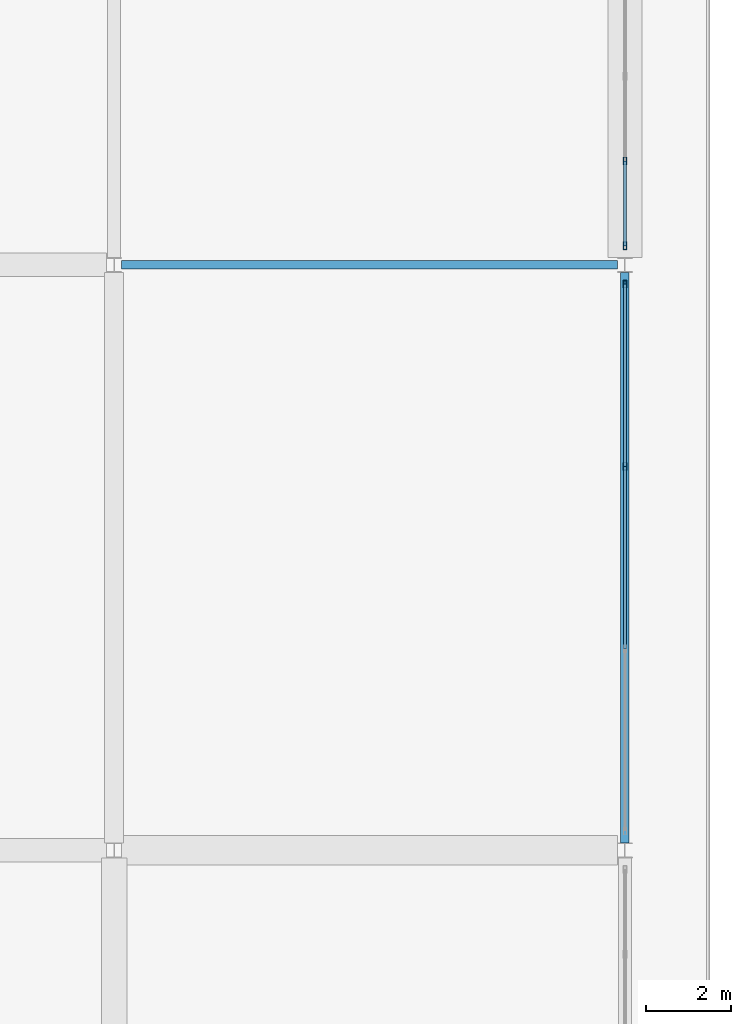
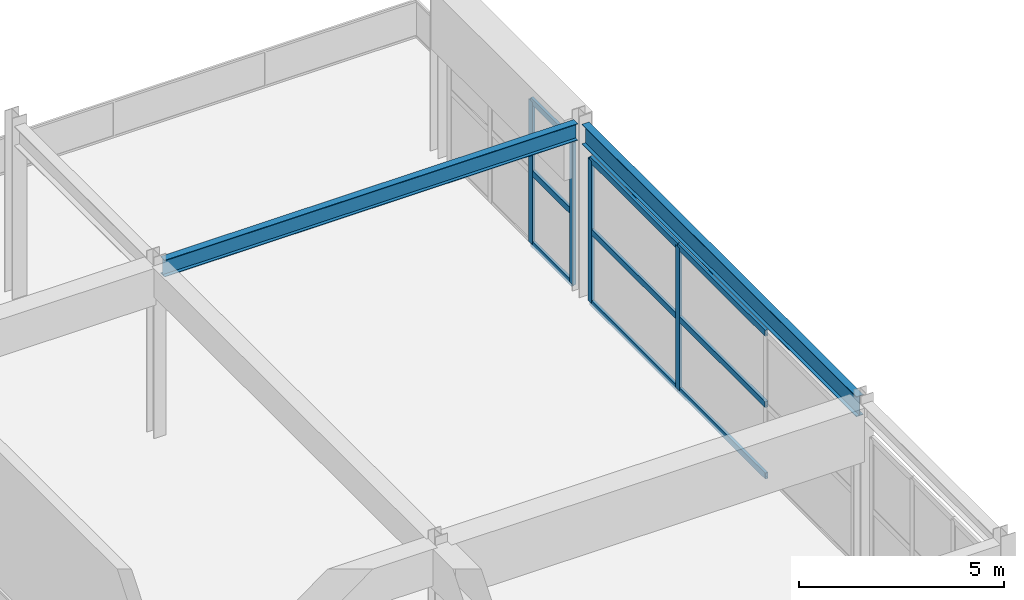
# One storey, part 28 of 117: 13 members, 2 beams, 2 elements without a shape of their own.
"""IFC4 building model written with IfcOpenShell, lengths in metres."""

from ifc_helpers import new_model, si_unit, direction, frame, origin, origin_2d, place, context, subcontext, project, spatial, hollow_rectangle, i_section, extrude, material, material_profile, profile_set, type_object, element, aggregate, save


model = new_model("IFC4")

# Units and contexts
model_context = context("Model", 3, precision=1e-05, world=origin(), true_north=direction((0.0, 1.0)))
body_context = subcontext(model_context, "Body", "Model", "MODEL_VIEW")
ifc_project = project(units=[si_unit("LENGTHUNIT", "METRE"), si_unit("AREAUNIT", "SQUARE_METRE"), si_unit("VOLUMEUNIT", "CUBIC_METRE"), si_unit("PLANEANGLEUNIT", "RADIAN"), si_unit("MASSUNIT", "GRAM", prefix="KILO")], contexts=[model_context])

# Site, building, storey
site_placement = place(None, origin())
site = spatial("IfcSite", under=ifc_project, at=site_placement, CompositionType="ELEMENT")
building_placement = place(site_placement, origin())
building = spatial("IfcBuilding", under=site, at=building_placement, Name="Linyun Crest Stadium", CompositionType="ELEMENT")
storey_placement = place(building_placement, frame((0.0, 0.0, 6.0)))
storey = spatial("IfcBuildingStorey", under=building, at=storey_placement, Name="L02", CompositionType="ELEMENT", Elevation=6.0)

# Beams
ifc_material_1 = material(Name="Steel Q355C", Category="steel")
ifc_material_profile_1 = material_profile(ifc_material_1, i_section(OverallWidth=0.199951171875, OverallDepth=0.5, WebThickness=0.010009765625, FlangeThickness=0.01611328125, at=origin_2d()), Name="HN 500x200")
ifc_profile_set_1 = profile_set([ifc_material_profile_1], Name="Steel Q355C")
beam_type_1 = type_object("IfcBeamType", Name="B10", PredefinedType="BEAM", material=ifc_profile_set_1)
beam_1_placement = place(storey_placement, frame((-69.824951171875, -73.5, 4.89990234375), z_axis=(1.0, 0.0, 0.0), x_axis=(0.0, 1.0, 0.0)))
element("IfcBeam", 1, at=beam_1_placement, inside=storey, type_object=beam_type_1, Name="Frame beam B10 L02 1095", PredefinedType="BEAM", context=body_context, shape_type="SweptSolid", body=[
    extrude(i_section(OverallWidth=0.199951171875, OverallDepth=0.5, WebThickness=0.010009765625, FlangeThickness=0.01611328125, at=origin_2d()), origin(), (0.0, 0.0, 1.0), 11.64990234375),
])
ifc_material_2 = material(Name="Steel Q355C", Category="steel")
ifc_material_profile_2 = material_profile(ifc_material_2, i_section(OverallWidth=0.199951171875, OverallDepth=0.60009765625, WebThickness=0.010986328125, FlangeThickness=0.01708984375, at=origin_2d()), Name="HN 600x200")
ifc_profile_set_2 = profile_set([ifc_material_profile_2], Name="Steel Q355C")
beam_type_2 = type_object("IfcBeamType", Name="B11", PredefinedType="BEAM", material=ifc_profile_set_2)
beam_2_placement = place(storey_placement, frame((-58.0, -87.074951171875, 4.85009765625), z_axis=(0.0, 1.0, 0.0), x_axis=(-1.0, 0.0, 0.0)))
element("IfcBeam", 2, at=beam_2_placement, inside=storey, type_object=beam_type_2, Name="Frame beam B11 L02 1108", PredefinedType="BEAM", context=body_context, shape_type="SweptSolid", body=[
    extrude(i_section(OverallWidth=0.199951171875, OverallDepth=0.60009765625, WebThickness=0.010986328125, FlangeThickness=0.01708984375, at=origin_2d()), origin(), (0.0, 0.0, 1.0), 13.39990234375),
])

# Curtain wall, members
ifc_material_3 = material(Name="Verdigris steel and low-E curtain wall assembly", Category="steel")
curtain_wall_type = type_object("IfcCurtainWallType", Name="MCW05", PredefinedType="NOTDEFINED", material=ifc_material_3)
curtain_wall_1_placement = place(storey_placement, origin())
curtain_wall_1 = element("IfcCurtainWall", 3, at=curtain_wall_1_placement, inside=storey, type_object=curtain_wall_type, Name="CWR-159", PredefinedType="NOTDEFINED")
ifc_material_4 = material(Name="Verdigris painted steel Q355B mullion", Category="steel")
ifc_material_profile_3 = material_profile(ifc_material_4, hollow_rectangle(XDim=0.080078125, YDim=0.179931640625, WallThickness=0.006103515625, at=origin_2d()), Name="RHS 180x80x6")
ifc_profile_set_3 = profile_set([ifc_material_profile_3], Name="Verdigris painted steel Q355B mullion")
member_type_1 = type_object("IfcMemberType", Name="ML02", PredefinedType="MULLION", material=ifc_profile_set_3)
member_1_placement = place(storey_placement, frame((-58.0, -78.23291015625, 0.0), z_axis=(0.0, 0.0, 1.0), x_axis=(-1.0, 0.0, 0.0)))
member_1 = element("IfcMember", 4, at=member_1_placement, type_object=member_type_1, Name="CWR-159 mullion 3", PredefinedType="MULLION", context=body_context, shape_type="SweptSolid", body=[
    extrude(hollow_rectangle(XDim=0.080078125, YDim=0.179931640625, WallThickness=0.006103515625, at=origin_2d()), origin(), (0.0, 0.0, 1.0), 4.25),
])
member_2_placement = place(storey_placement, frame((-58.0, -73.949951171875, 0.0), z_axis=(0.0, 0.0, 1.0), x_axis=(-1.0, 0.0, 0.0)))
member_2 = element("IfcMember", 5, at=member_2_placement, type_object=member_type_1, Name="CWR-159 mullion 4", PredefinedType="MULLION", context=body_context, shape_type="SweptSolid", body=[
    extrude(hollow_rectangle(XDim=0.080078125, YDim=0.179931640625, WallThickness=0.006103515625, at=origin_2d()), origin(), (0.0, 0.0, 1.0), 4.25),
])

curtain_wall_2_placement = place(storey_placement, origin())
curtain_wall_2 = element("IfcCurtainWall", 6, at=curtain_wall_2_placement, inside=storey, type_object=curtain_wall_type, Name="CWR-160", PredefinedType="NOTDEFINED")
member_3_placement = place(storey_placement, frame((-58.0, -73.050048828125, 0.0), z_axis=(0.0, 0.0, 1.0), x_axis=(-1.0, 0.0, 0.0)))
member_3 = element("IfcMember", 7, at=member_3_placement, type_object=member_type_1, Name="CWR-160 mullion 1", PredefinedType="MULLION", context=body_context, shape_type="SweptSolid", body=[
    extrude(hollow_rectangle(XDim=0.080078125, YDim=0.179931640625, WallThickness=0.006103515625, at=origin_2d()), origin(), (0.0, 0.0, 1.0), 4.25),
])
member_4_placement = place(storey_placement, frame((-58.0, -71.05810546875, 0.0), z_axis=(0.0, 0.0, 1.0), x_axis=(-1.0, 0.0, 0.0)))
member_4 = element("IfcMember", 8, at=member_4_placement, type_object=member_type_1, Name="CWR-160 mullion 2", PredefinedType="MULLION", context=body_context, shape_type="SweptSolid", body=[
    extrude(hollow_rectangle(XDim=0.080078125, YDim=0.179931640625, WallThickness=0.006103515625, at=origin_2d()), origin(), (0.0, 0.0, 1.0), 4.25),
])

# Member
ifc_material_5 = material(Name="Verdigris painted steel Q355B transom", Category="steel")
ifc_material_profile_4 = material_profile(ifc_material_5, hollow_rectangle(XDim=0.080078125, YDim=0.179931640625, WallThickness=0.006103515625, at=origin_2d()), Name="RHS 180x80x6")
ifc_profile_set_4 = profile_set([ifc_material_profile_4], Name="Verdigris painted steel Q355B transom")
member_type_2 = type_object("IfcMemberType", Name="TR02", PredefinedType="USERDEFINED", material=ifc_profile_set_4)
member_5_placement = place(storey_placement, frame((-58.0, -82.51708984375, 0.0), z_axis=(0.0, 1.0, 0.0), x_axis=(-1.0, 0.0, 0.0)))
member_5 = element("IfcMember", 9, at=member_5_placement, type_object=member_type_2, Name="CWR-159 transom 2.1", ObjectType="TRANSOM", PredefinedType="USERDEFINED", context=body_context, shape_type="SweptSolid", body=[
    extrude(hollow_rectangle(XDim=0.080078125, YDim=0.179931640625, WallThickness=0.006103515625, at=origin_2d()), origin(), (0.0, 0.0, 1.0), 4.2841796875),
])

member_6_placement = place(storey_placement, frame((-58.0, -82.51708984375, 2.125), z_axis=(0.0, 1.0, 0.0), x_axis=(-1.0, 0.0, 0.0)))
member_6 = element("IfcMember", 10, at=member_6_placement, type_object=member_type_2, Name="CWR-159 transom 2.2", ObjectType="TRANSOM", PredefinedType="USERDEFINED", context=body_context, shape_type="SweptSolid", body=[
    extrude(hollow_rectangle(XDim=0.080078125, YDim=0.179931640625, WallThickness=0.006103515625, at=origin_2d()), origin(), (0.0, 0.0, 1.0), 4.2841796875),
])

member_7_placement = place(storey_placement, frame((-58.0, -82.51708984375, 4.25), z_axis=(0.0, 1.0, 0.0), x_axis=(-1.0, 0.0, 0.0)))
member_7 = element("IfcMember", 11, at=member_7_placement, type_object=member_type_2, Name="CWR-159 transom 2.3", ObjectType="TRANSOM", PredefinedType="USERDEFINED", context=body_context, shape_type="SweptSolid", body=[
    extrude(hollow_rectangle(XDim=0.080078125, YDim=0.179931640625, WallThickness=0.006103515625, at=origin_2d()), origin(), (0.0, 0.0, 1.0), 4.2841796875),
])

member_8_placement = place(storey_placement, frame((-58.0, -78.23291015625, 0.0), z_axis=(0.0, 1.0, 0.0), x_axis=(-1.0, 0.0, 0.0)))
member_8 = element("IfcMember", 12, at=member_8_placement, type_object=member_type_2, Name="CWR-159 transom 3.1", ObjectType="TRANSOM", PredefinedType="USERDEFINED", context=body_context, shape_type="SweptSolid", body=[
    extrude(hollow_rectangle(XDim=0.080078125, YDim=0.179931640625, WallThickness=0.006103515625, at=origin_2d()), origin(), (0.0, 0.0, 1.0), 4.282958984375),
])

member_9_placement = place(storey_placement, frame((-58.0, -78.23291015625, 2.125), z_axis=(0.0, 1.0, 0.0), x_axis=(-1.0, 0.0, 0.0)))
member_9 = element("IfcMember", 13, at=member_9_placement, type_object=member_type_2, Name="CWR-159 transom 3.2", ObjectType="TRANSOM", PredefinedType="USERDEFINED", context=body_context, shape_type="SweptSolid", body=[
    extrude(hollow_rectangle(XDim=0.080078125, YDim=0.179931640625, WallThickness=0.006103515625, at=origin_2d()), origin(), (0.0, 0.0, 1.0), 4.282958984375),
])

member_10_placement = place(storey_placement, frame((-58.0, -78.23291015625, 4.25), z_axis=(0.0, 1.0, 0.0), x_axis=(-1.0, 0.0, 0.0)))
member_10 = element("IfcMember", 14, at=member_10_placement, type_object=member_type_2, Name="CWR-159 transom 3.3", ObjectType="TRANSOM", PredefinedType="USERDEFINED", context=body_context, shape_type="SweptSolid", body=[
    extrude(hollow_rectangle(XDim=0.080078125, YDim=0.179931640625, WallThickness=0.006103515625, at=origin_2d()), origin(), (0.0, 0.0, 1.0), 4.282958984375),
])

aggregate(curtain_wall_1, [member_1, member_2, member_5, member_6, member_7, member_8, member_9, member_10])

member_11_placement = place(storey_placement, frame((-58.0, -73.050048828125, 0.0), z_axis=(0.0, 1.0, 0.0), x_axis=(-1.0, 0.0, 0.0)))
member_11 = element("IfcMember", 15, at=member_11_placement, type_object=member_type_2, Name="CWR-160 transom 1.1", ObjectType="TRANSOM", PredefinedType="USERDEFINED", context=body_context, shape_type="SweptSolid", body=[
    extrude(hollow_rectangle(XDim=0.080078125, YDim=0.179931640625, WallThickness=0.006103515625, at=origin_2d()), origin(), (0.0, 0.0, 1.0), 1.991943359375),
])

member_12_placement = place(storey_placement, frame((-58.0, -73.050048828125, 2.125), z_axis=(0.0, 1.0, 0.0), x_axis=(-1.0, 0.0, 0.0)))
member_12 = element("IfcMember", 16, at=member_12_placement, type_object=member_type_2, Name="CWR-160 transom 1.2", ObjectType="TRANSOM", PredefinedType="USERDEFINED", context=body_context, shape_type="SweptSolid", body=[
    extrude(hollow_rectangle(XDim=0.080078125, YDim=0.179931640625, WallThickness=0.006103515625, at=origin_2d()), origin(), (0.0, 0.0, 1.0), 1.991943359375),
])

member_13_placement = place(storey_placement, frame((-58.0, -73.050048828125, 4.25), z_axis=(0.0, 1.0, 0.0), x_axis=(-1.0, 0.0, 0.0)))
member_13 = element("IfcMember", 17, at=member_13_placement, type_object=member_type_2, Name="CWR-160 transom 1.3", ObjectType="TRANSOM", PredefinedType="USERDEFINED", context=body_context, shape_type="SweptSolid", body=[
    extrude(hollow_rectangle(XDim=0.080078125, YDim=0.179931640625, WallThickness=0.006103515625, at=origin_2d()), origin(), (0.0, 0.0, 1.0), 1.991943359375),
])

aggregate(curtain_wall_2, [member_3, member_4, member_11, member_12, member_13])

save(model, "model.ifc")
